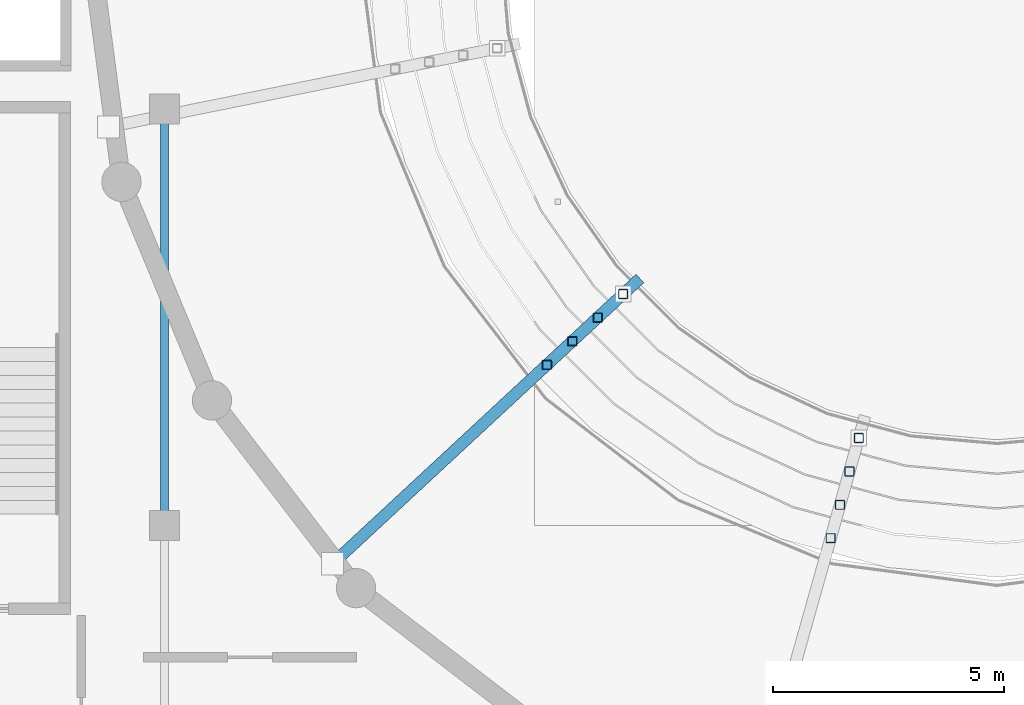
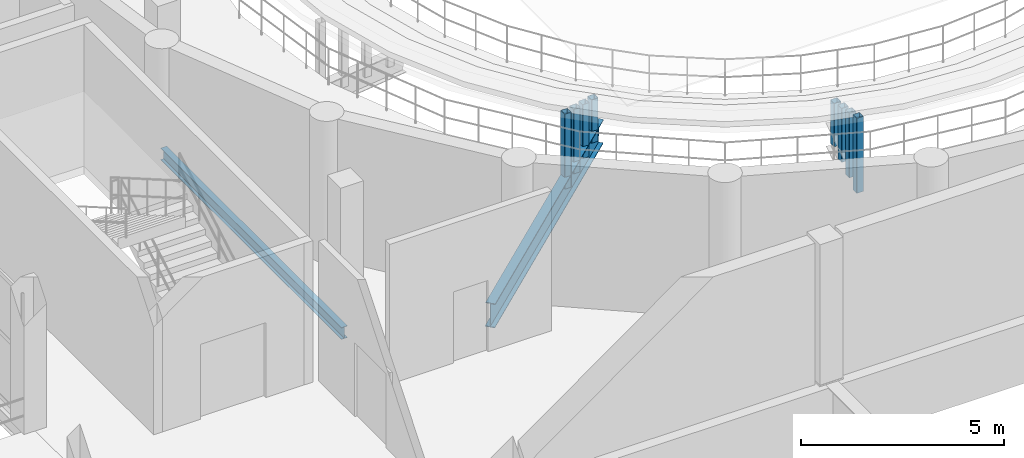
# One storey, part 17 of 54: 8 members, 2 beams.
"""IFC4 building model written with IfcOpenShell, lengths in metres."""

from ifc_helpers import new_model, si_unit, direction, frame, origin, origin_2d, place, context, subcontext, project, spatial, hollow_rectangle, i_section, extrude, material, material_profile, profile_set, type_object, element, save


model = new_model("IFC4")

# Units and contexts
model_context = context("Model", 3, precision=1e-05, world=origin(), true_north=direction((0.0, 1.0)))
body_context = subcontext(model_context, "Body", "Model", "MODEL_VIEW")
ifc_project = project(units=[si_unit("LENGTHUNIT", "METRE"), si_unit("AREAUNIT", "SQUARE_METRE"), si_unit("VOLUMEUNIT", "CUBIC_METRE"), si_unit("PLANEANGLEUNIT", "RADIAN"), si_unit("MASSUNIT", "GRAM", prefix="KILO")], contexts=[model_context])

# Site, building, storey
site_placement = place(None, origin())
site = spatial("IfcSite", under=ifc_project, at=site_placement, CompositionType="ELEMENT")
building_placement = place(site_placement, origin())
building = spatial("IfcBuilding", under=site, at=building_placement, Name="Marnock Terrace Opera House", CompositionType="ELEMENT")
storey_placement = place(building_placement, frame((0.0, 0.0, 19.199951171875)))
storey = spatial("IfcBuildingStorey", under=building, at=storey_placement, Name="L04", CompositionType="ELEMENT", Elevation=19.199951171875)

# Beams
ifc_material_1 = material(Name="Steel Grade 350 (AS/NZS 3679.1)", Category="steel")
ifc_material_profile_1 = material_profile(ifc_material_1, i_section(OverallWidth=0.1708984375, OverallDepth=0.355712890625, WebThickness=0.00732421875, FlangeThickness=0.011474609375, FilletRadius=0.011474609375, at=origin_2d()))
ifc_profile_set_1 = profile_set([ifc_material_profile_1], Name="Steel Grade 350 (AS/NZS 3679.1)")
beam_type_1 = type_object("IfcBeamType", Name="BM-GIRD-360", PredefinedType="BEAM", material=ifc_profile_set_1)
beam_1_placement = place(storey_placement, frame((64.0, 48.050048828125, -0.427734375), z_axis=(0.0, 1.0, 0.0), x_axis=(-1.0, 0.0, 0.0)))
element("IfcBeam", 1, at=beam_1_placement, inside=storey, type_object=beam_type_1, Name="L04 girder (X=64.0, 48.0..57.0)", PredefinedType="BEAM", context=body_context, shape_type="SweptSolid", body=[
    extrude(i_section(OverallWidth=0.1708984375, OverallDepth=0.355712890625, WebThickness=0.00732421875, FlangeThickness=0.011474609375, FilletRadius=0.011474609375, at=origin_2d()), origin(), (0.0, 0.0, 1.0), 8.89990234375),
])
ifc_material_2 = material(Name="Steel Grade 350 Welded (AS/NZS 3679.2)", Category="steel")
ifc_material_profile_2 = material_profile(ifc_material_2, i_section(OverallWidth=0.25, OverallDepth=0.699951171875, WebThickness=0.011962890625, FlangeThickness=0.02001953125, at=origin_2d()))
ifc_profile_set_2 = profile_set([ifc_material_profile_2], Name="Steel Grade 350 Welded (AS/NZS 3679.2)")
beam_type_2 = type_object("IfcBeamType", Name="BM-RAKER-700", PredefinedType="BEAM", material=ifc_profile_set_2)
beam_2_placement = place(storey_placement, frame((74.266357421875, 53.32421875, -1.14990234375), z_axis=(-0.73190120059, -0.679083865845, 0.056264871128), x_axis=(0.68016132476, -0.733062461391, 0.0)))
element("IfcBeam", 2, at=beam_2_placement, inside=storey, type_object=beam_type_2, Name="L04 Auditorium raker girder 3", PredefinedType="BEAM", context=body_context, shape_type="SweptSolid", body=[
    extrude(i_section(OverallWidth=0.25, OverallDepth=0.699951171875, WebThickness=0.011962890625, FlangeThickness=0.02001953125, at=origin_2d()), origin(), (0.0, 0.0, 1.0), 9.064453125),
])

# Members
ifc_material_3 = material(Name="Cold-formed Steel Grade C350L0 (AS/NZS 1163)", Category="steel")
ifc_material_profile_3 = material_profile(ifc_material_3, hollow_rectangle(XDim=0.199951171875, YDim=0.199951171875, WallThickness=0.009033203125, InnerFilletRadius=0.009033203125, OuterFilletRadius=0.01806640625, at=origin_2d()))
ifc_profile_set_3 = profile_set([ifc_material_profile_3], Name="Cold-formed Steel Grade C350L0 (AS/NZS 1163)")
member_type = type_object("IfcMemberType", Name="MEM-TRUSS-WEB2", PredefinedType="BRACE", material=ifc_profile_set_3)
member_1_placement = place(storey_placement, frame((73.918212890625, 53.001220703125, -1.123046875), z_axis=(0.0, 0.0, 1.0), x_axis=(1.0, 0.0, 0.0)))
element("IfcMember", 3, at=member_1_placement, inside=storey, type_object=member_type, Name="L04 Auditorium tier support post 3.1", PredefinedType="BRACE", context=body_context, shape_type="SweptSolid", body=[
    extrude(hollow_rectangle(XDim=0.199951171875, YDim=0.199951171875, WallThickness=0.009033203125, InnerFilletRadius=0.009033203125, OuterFilletRadius=0.01806640625, at=origin_2d()), origin(), (0.0, 0.0, 1.0), 1.298095703125),
])
member_2_placement = place(storey_placement, frame((73.368408203125, 52.490966796875, -1.0810546875), z_axis=(0.0, 0.0, 1.0), x_axis=(1.0, 0.0, 0.0)))
element("IfcMember", 4, at=member_2_placement, inside=storey, type_object=member_type, Name="L04 Auditorium tier support post 3.2", PredefinedType="BRACE", context=body_context, shape_type="SweptSolid", body=[
    extrude(hollow_rectangle(XDim=0.199951171875, YDim=0.199951171875, WallThickness=0.009033203125, InnerFilletRadius=0.009033203125, OuterFilletRadius=0.01806640625, at=origin_2d()), origin(), (0.0, 0.0, 1.0), 1.6162109375),
])
member_3_placement = place(storey_placement, frame((72.818603515625, 51.980712890625, -1.03857421875), z_axis=(0.0, 0.0, 1.0), x_axis=(1.0, 0.0, 0.0)))
element("IfcMember", 5, at=member_3_placement, inside=storey, type_object=member_type, Name="L04 Auditorium tier support post 3.3", PredefinedType="BRACE", context=body_context, shape_type="SweptSolid", body=[
    extrude(hollow_rectangle(XDim=0.199951171875, YDim=0.199951171875, WallThickness=0.009033203125, InnerFilletRadius=0.009033203125, OuterFilletRadius=0.01806640625, at=origin_2d()), origin(), (0.0, 0.0, 1.0), 1.93359375),
])
member_4_placement = place(storey_placement, frame((72.268798828125, 51.470703125, -0.996337890625), z_axis=(0.0, 0.0, 1.0), x_axis=(1.0, 0.0, 0.0)))
element("IfcMember", 6, at=member_4_placement, inside=storey, type_object=member_type, Name="L04 Auditorium tier support post 3.4", PredefinedType="BRACE", context=body_context, shape_type="SweptSolid", body=[
    extrude(hollow_rectangle(XDim=0.199951171875, YDim=0.199951171875, WallThickness=0.009033203125, InnerFilletRadius=0.009033203125, OuterFilletRadius=0.01806640625, at=origin_2d()), origin(), (0.0, 0.0, 1.0), 2.25146484375),
])
member_5_placement = place(storey_placement, frame((79.013916015625, 49.88720703125, -1.123046875), z_axis=(0.0, 0.0, 1.0), x_axis=(1.0, 0.0, 0.0)))
element("IfcMember", 7, at=member_5_placement, inside=storey, type_object=member_type, Name="L04 Auditorium tier support post 4.1", PredefinedType="BRACE", context=body_context, shape_type="SweptSolid", body=[
    extrude(hollow_rectangle(XDim=0.199951171875, YDim=0.199951171875, WallThickness=0.009033203125, InnerFilletRadius=0.009033203125, OuterFilletRadius=0.01806640625, at=origin_2d()), origin(), (0.0, 0.0, 1.0), 1.298095703125),
])
member_6_placement = place(storey_placement, frame((78.810791015625, 49.1650390625, -1.0810546875), z_axis=(0.0, 0.0, 1.0), x_axis=(1.0, 0.0, 0.0)))
element("IfcMember", 8, at=member_6_placement, inside=storey, type_object=member_type, Name="L04 Auditorium tier support post 4.2", PredefinedType="BRACE", context=body_context, shape_type="SweptSolid", body=[
    extrude(hollow_rectangle(XDim=0.199951171875, YDim=0.199951171875, WallThickness=0.009033203125, InnerFilletRadius=0.009033203125, OuterFilletRadius=0.01806640625, at=origin_2d()), origin(), (0.0, 0.0, 1.0), 1.6162109375),
])
member_7_placement = place(storey_placement, frame((78.607666015625, 48.443115234375, -1.03857421875), z_axis=(0.0, 0.0, 1.0), x_axis=(1.0, 0.0, 0.0)))
element("IfcMember", 9, at=member_7_placement, inside=storey, type_object=member_type, Name="L04 Auditorium tier support post 4.3", PredefinedType="BRACE", context=body_context, shape_type="SweptSolid", body=[
    extrude(hollow_rectangle(XDim=0.199951171875, YDim=0.199951171875, WallThickness=0.009033203125, InnerFilletRadius=0.009033203125, OuterFilletRadius=0.01806640625, at=origin_2d()), origin(), (0.0, 0.0, 1.0), 1.93359375),
])
member_8_placement = place(storey_placement, frame((78.404541015625, 47.72119140625, -0.996337890625), z_axis=(0.0, 0.0, 1.0), x_axis=(1.0, 0.0, 0.0)))
element("IfcMember", 10, at=member_8_placement, inside=storey, type_object=member_type, Name="L04 Auditorium tier support post 4.4", PredefinedType="BRACE", context=body_context, shape_type="SweptSolid", body=[
    extrude(hollow_rectangle(XDim=0.199951171875, YDim=0.199951171875, WallThickness=0.009033203125, InnerFilletRadius=0.009033203125, OuterFilletRadius=0.01806640625, at=origin_2d()), origin(), (0.0, 0.0, 1.0), 2.25146484375),
])

save(model, "model.ifc")
